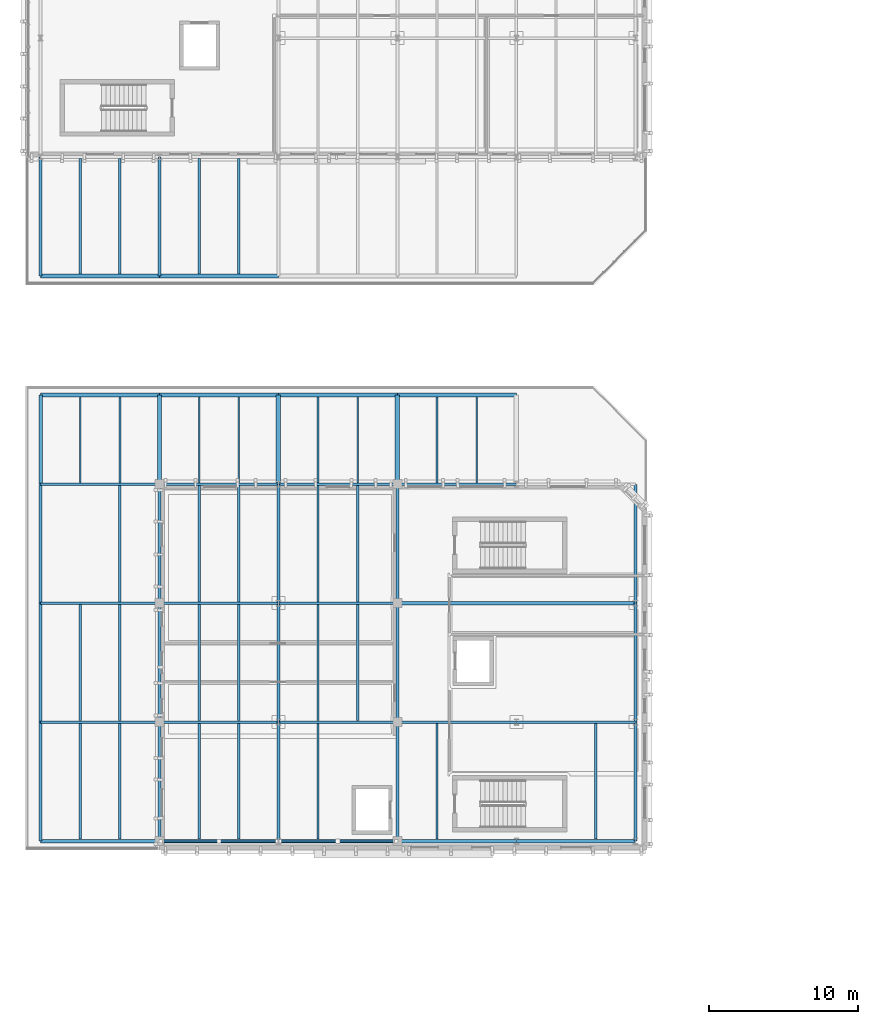
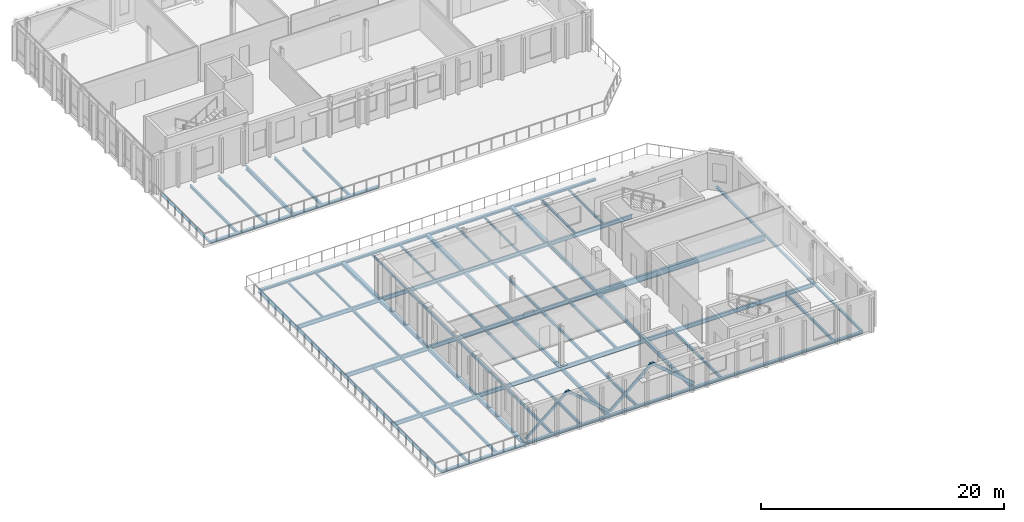
# One storey, part 6 of 43: 75 beams, 4 members.
"""IFC4 building model written with IfcOpenShell, lengths in metres."""

from ifc_helpers import new_model, si_unit, direction, frame, origin, origin_2d, place, context, subcontext, project, spatial, hollow_rectangle, i_section, extrude, material, material_profile, profile_set, type_object, element, save


model = new_model("IFC4")

# Units and contexts
model_context = context("Model", 3, precision=1e-05, world=origin(), true_north=direction((0.0, 1.0)))
body_context = subcontext(model_context, "Body", "Model", "MODEL_VIEW")
ifc_project = project(units=[si_unit("LENGTHUNIT", "METRE"), si_unit("AREAUNIT", "SQUARE_METRE"), si_unit("VOLUMEUNIT", "CUBIC_METRE"), si_unit("PLANEANGLEUNIT", "RADIAN"), si_unit("MASSUNIT", "GRAM", prefix="KILO")], contexts=[model_context])

# Site, building, storey
site_placement = place(None, origin())
site = spatial("IfcSite", under=ifc_project, at=site_placement, CompositionType="ELEMENT")
building_placement = place(site_placement, origin())
building = spatial("IfcBuilding", under=site, at=building_placement, Name="Cymarion Research Institute", CompositionType="ELEMENT")
storey_placement = place(building_placement, frame((0.0, 0.0, 22.800048828125)))
storey = spatial("IfcBuildingStorey", under=building, at=storey_placement, Name="L05", CompositionType="ELEMENT", Elevation=22.800048828125)

# Beams
ifc_material = material(Name="Steel S355", Category="steel")
ifc_material_profile_1 = material_profile(ifc_material, i_section(OverallWidth=0.219970703125, OverallDepth=0.60009765625, WebThickness=0.011962890625, FlangeThickness=0.01904296875, FilletRadius=0.02392578125, at=origin_2d()), Name="IPE 600")
ifc_profile_set_1 = profile_set([ifc_material_profile_1], Name="Steel S355")
beam_type_1 = type_object("IfcBeamType", Name="PRIMARY GIRDER BM01 IPE 600", PredefinedType="BEAM", material=ifc_profile_set_1)
beam_1_placement = place(storey_placement, frame((30.60595703125, 63.5, -0.52001953125), z_axis=(1.0, 0.0, 0.0), x_axis=(0.0, 1.0, 0.0)))
element("IfcBeam", 1, at=beam_1_placement, inside=storey, type_object=beam_type_1, Name="L05 V4 girder BM01 #1914", PredefinedType="BEAM", context=body_context, shape_type="SweptSolid", body=[
    extrude(i_section(OverallWidth=0.219970703125, OverallDepth=0.60009765625, WebThickness=0.011962890625, FlangeThickness=0.01904296875, FilletRadius=0.02392578125, at=origin_2d()), origin(), (0.0, 0.0, 1.0), 15.988037109375),
])
ifc_material_profile_2 = material_profile(ifc_material, i_section(OverallWidth=0.179931640625, OverallDepth=0.39990234375, WebThickness=0.008544921875, FlangeThickness=0.013427734375, FilletRadius=0.02099609375, at=origin_2d()), Name="IPE 400")
ifc_profile_set_2 = profile_set([ifc_material_profile_2], Name="Steel S355")
beam_type_2 = type_object("IfcBeamType", Name="PRIMARY GIRDER BM05 IPE 400", PredefinedType="BEAM", material=ifc_profile_set_2)
for number, where, z_axis, x_axis, name in (
    (2, (6.60595703125, 55.5, -0.4599609375), (1.0, 0.0, 0.0), (0.0, 1.0, 0.0), "L05 V4 girder BM05 #1906"),
    (3, (14.60595703125, 55.5, -0.420166015625), (1.0, 0.0, 0.0), (0.0, 1.0, 0.0), "L05 V4 girder BM05 #1907"),
    (4, (22.60595703125, 55.5, -0.420166015625), (1.0, 0.0, 0.0), (0.0, 1.0, 0.0), "L05 V4 girder BM05 #1908"),
    (5, (30.60595703125, 55.5, -0.420166015625), (1.0, 0.0, 0.0), (0.0, 1.0, 0.0), "L05 V4 girder BM05 #1909"),
    (6, (38.60595703125, 55.5, -0.420166015625), (1.0, 0.0, 0.0), (0.0, 1.0, 0.0), "L05 V4 girder BM05 #1910"),
    (7, (6.60595703125, 63.5, -0.4599609375), (1.0, 0.0, 0.0), (0.0, 1.0, 0.0), "L05 V4 girder BM05 #1911"),
    (8, (14.60595703125, 63.5, -0.420166015625), (1.0, 0.0, 0.0), (0.0, 1.0, 0.0), "L05 V4 girder BM05 #1912"),
    (9, (22.60595703125, 63.5, -0.420166015625), (1.0, 0.0, 0.0), (0.0, 1.0, 0.0), "L05 V4 girder BM05 #1913"),
    (10, (6.60595703125, 71.5, -0.4599609375), (1.0, 0.0, 0.0), (0.0, 1.0, 0.0), "L05 V4 girder BM05 #1915"),
    (11, (14.60595703125, 71.5, -0.4599609375), (1.0, 0.0, 0.0), (0.0, 1.0, 0.0), "L05 V4 girder BM05 #1916"),
    (12, (22.60595703125, 71.5, -0.4599609375), (1.0, 0.0, 0.0), (0.0, 1.0, 0.0), "L05 V4 girder BM05 #1917"),
    (13, (30.60595703125, 71.5, -0.4599609375), (1.0, 0.0, 0.0), (0.0, 1.0, 0.0), "L05 V4 girder BM05 #1918"),
):
    element("IfcBeam", number, at=place(storey_placement, frame(where, z_axis=z_axis, x_axis=x_axis)), inside=storey, type_object=beam_type_2, Name=name, PredefinedType="BEAM", context=body_context, shape_type="SweptSolid", body=[
        extrude(i_section(OverallWidth=0.179931640625, OverallDepth=0.39990234375, WebThickness=0.008544921875, FlangeThickness=0.013427734375, FilletRadius=0.02099609375, at=origin_2d()), origin(), (0.0, 0.0, 1.0), 7.988037109375),
    ])
for number, where, z_axis, x_axis, name in (
    (14, (14.60009765625, 47.506103515625, -0.4599609375), (0.0, 1.0, 0.0), (-1.0, 0.0, 0.0), "L05 V4 girder BM05 #1928"),
    (15, (14.60009765625, 55.506103515625, -0.4599609375), (0.0, 1.0, 0.0), (-1.0, 0.0, 0.0), "L05 V4 girder BM05 #1929"),
    (16, (14.60009765625, 63.506103515625, -0.4599609375), (0.0, 1.0, 0.0), (-1.0, 0.0, 0.0), "L05 V4 girder BM05 #1930"),
    (17, (22.60009765625, 47.506103515625, -0.420166015625), (0.0, 1.0, 0.0), (-1.0, 0.0, 0.0), "L05 V4 girder BM05 #1932"),
    (18, (22.60009765625, 55.506103515625, -0.420166015625), (0.0, 1.0, 0.0), (-1.0, 0.0, 0.0), "L05 V4 girder BM05 #1933"),
    (19, (22.60009765625, 63.506103515625, -0.420166015625), (0.0, 1.0, 0.0), (-1.0, 0.0, 0.0), "L05 V4 girder BM05 #1934"),
    (20, (30.60009765625, 47.506103515625, -0.420166015625), (0.0, 1.0, 0.0), (-1.0, 0.0, 0.0), "L05 V4 girder BM05 #1936"),
    (21, (30.60009765625, 55.506103515625, -0.420166015625), (0.0, 1.0, 0.0), (-1.0, 0.0, 0.0), "L05 V4 girder BM05 #1937"),
    (22, (30.60009765625, 63.506103515625, -0.420166015625), (0.0, 1.0, 0.0), (-1.0, 0.0, 0.0), "L05 V4 girder BM05 #1938"),
    (23, (14.60009765625, 85.506103515625, -0.4599609375), (0.0, 1.0, 0.0), (-1.0, 0.0, 0.0), "L05 V5 girder BM05 #1996"),
):
    element("IfcBeam", number, at=place(storey_placement, frame(where, z_axis=z_axis, x_axis=x_axis)), inside=storey, type_object=beam_type_2, Name=name, PredefinedType="BEAM", context=body_context, shape_type="SweptSolid", body=[
        extrude(i_section(OverallWidth=0.179931640625, OverallDepth=0.39990234375, WebThickness=0.008544921875, FlangeThickness=0.013427734375, FilletRadius=0.02099609375, at=origin_2d()), origin(), (0.0, 0.0, 1.0), 7.98779296875),
    ])
ifc_material_profile_3 = material_profile(ifc_material, i_section(OverallWidth=0.300048828125, OverallDepth=0.35009765625, WebThickness=0.010009765625, FlangeThickness=0.017578125, FilletRadius=0.027099609375, at=origin_2d()), Name="HEA 360")
ifc_profile_set_3 = profile_set([ifc_material_profile_3], Name="Steel S355")
beam_type_3 = type_object("IfcBeamType", Name="PRIMARY GIRDER BM12 HEA 360", PredefinedType="BEAM", material=ifc_profile_set_3)
for number, where, z_axis, x_axis, name in (
    (24, (14.60009765625, 71.506103515625, -0.43505859375), (0.0, 1.0, 0.0), (-1.0, 0.0, 0.0), "L05 V4 girder BM12 #1931"),
    (25, (22.60009765625, 71.506103515625, -0.43505859375), (0.0, 1.0, 0.0), (-1.0, 0.0, 0.0), "L05 V4 girder BM12 #1935"),
    (26, (30.60009765625, 71.506103515625, -0.43505859375), (0.0, 1.0, 0.0), (-1.0, 0.0, 0.0), "L05 V4 girder BM12 #1939"),
):
    element("IfcBeam", number, at=place(storey_placement, frame(where, z_axis=z_axis, x_axis=x_axis)), inside=storey, type_object=beam_type_3, Name=name, PredefinedType="BEAM", context=body_context, shape_type="SweptSolid", body=[
        extrude(i_section(OverallWidth=0.300048828125, OverallDepth=0.35009765625, WebThickness=0.010009765625, FlangeThickness=0.017578125, FilletRadius=0.027099609375, at=origin_2d()), origin(), (0.0, 0.0, 1.0), 5.98779296875),
    ])
ifc_material_profile_4 = material_profile(ifc_material, i_section(OverallWidth=0.14990234375, OverallDepth=0.300048828125, WebThickness=0.007080078125, FlangeThickness=0.0107421875, FilletRadius=0.014892578125, at=origin_2d()), Name="IPE 300")
ifc_profile_set_4 = profile_set([ifc_material_profile_4], Name="Steel S355")
beam_type_4 = type_object("IfcBeamType", Name="SECONDARY JOIST JS02 IPE 300", PredefinedType="JOIST", material=ifc_profile_set_4)
for number, where, z_axis, x_axis, name in (
    (27, (9.2666015625, 47.6240234375, -0.41015625), (0.0, 1.0, 0.0), (-1.0, 0.0, 0.0), "L05 V4 secondary joist JS02 #1944"),
    (28, (11.933349609375, 47.6240234375, -0.41015625), (0.0, 1.0, 0.0), (-1.0, 0.0, 0.0), "L05 V4 secondary joist JS02 #1945"),
    (29, (17.2666015625, 47.6240234375, -0.3701171875), (0.0, 1.0, 0.0), (-1.0, 0.0, 0.0), "L05 V4 secondary joist JS02 #1946"),
    (30, (19.933349609375, 47.6240234375, -0.3701171875), (0.0, 1.0, 0.0), (-1.0, 0.0, 0.0), "L05 V4 secondary joist JS02 #1947"),
    (31, (25.2666015625, 47.6240234375, -0.3701171875), (0.0, 1.0, 0.0), (-1.0, 0.0, 0.0), "L05 V4 secondary joist JS02 #1948"),
    (32, (33.2666015625, 47.6240234375, -0.3701171875), (0.0, 1.0, 0.0), (-1.0, 0.0, 0.0), "L05 V4 secondary joist JS02 #1949"),
    (33, (43.933349609375, 47.6240234375, -0.3701171875), (0.0, 1.0, 0.0), (-1.0, 0.0, 0.0), "L05 V4 secondary joist JS02 #1950"),
):
    element("IfcBeam", number, at=place(storey_placement, frame(where, z_axis=z_axis, x_axis=x_axis)), inside=storey, type_object=beam_type_4, Name=name, PredefinedType="JOIST", context=body_context, shape_type="SweptSolid", body=[
        extrude(i_section(OverallWidth=0.14990234375, OverallDepth=0.300048828125, WebThickness=0.007080078125, FlangeThickness=0.0107421875, FilletRadius=0.014892578125, at=origin_2d()), origin(), (0.0, 0.0, 1.0), 7.781982421875),
    ])
for number, where, z_axis, x_axis, name in (
    (34, (9.2666015625, 55.593994140625, -0.41015625), (0.0, 1.0, 0.0), (-1.0, 0.0, 0.0), "L05 V4 secondary joist JS02 #1951"),
    (35, (11.933349609375, 55.593994140625, -0.41015625), (0.0, 1.0, 0.0), (-1.0, 0.0, 0.0), "L05 V4 secondary joist JS02 #1952"),
    (36, (17.2666015625, 55.593994140625, -0.3701171875), (0.0, 1.0, 0.0), (-1.0, 0.0, 0.0), "L05 V4 secondary joist JS02 #1953"),
    (37, (19.933349609375, 55.593994140625, -0.3701171875), (0.0, 1.0, 0.0), (-1.0, 0.0, 0.0), "L05 V4 secondary joist JS02 #1954"),
    (38, (25.2666015625, 55.593994140625, -0.3701171875), (0.0, 1.0, 0.0), (-1.0, 0.0, 0.0), "L05 V4 secondary joist JS02 #1955"),
    (39, (27.933349609375, 55.593994140625, -0.3701171875), (0.0, 1.0, 0.0), (-1.0, 0.0, 0.0), "L05 V4 secondary joist JS02 #1956"),
    (40, (11.933349609375, 63.593994140625, -0.41015625), (0.0, 1.0, 0.0), (-1.0, 0.0, 0.0), "L05 V4 secondary joist JS02 #1957"),
    (41, (17.2666015625, 63.593994140625, -0.3701171875), (0.0, 1.0, 0.0), (-1.0, 0.0, 0.0), "L05 V4 secondary joist JS02 #1958"),
    (42, (19.933349609375, 63.593994140625, -0.3701171875), (0.0, 1.0, 0.0), (-1.0, 0.0, 0.0), "L05 V4 secondary joist JS02 #1959"),
    (43, (25.2666015625, 63.593994140625, -0.3701171875), (0.0, 1.0, 0.0), (-1.0, 0.0, 0.0), "L05 V4 secondary joist JS02 #1960"),
    (44, (27.933349609375, 63.593994140625, -0.3701171875), (0.0, 1.0, 0.0), (-1.0, 0.0, 0.0), "L05 V4 secondary joist JS02 #1961"),
):
    element("IfcBeam", number, at=place(storey_placement, frame(where, z_axis=z_axis, x_axis=x_axis)), inside=storey, type_object=beam_type_4, Name=name, PredefinedType="JOIST", context=body_context, shape_type="SweptSolid", body=[
        extrude(i_section(OverallWidth=0.14990234375, OverallDepth=0.300048828125, WebThickness=0.007080078125, FlangeThickness=0.0107421875, FilletRadius=0.014892578125, at=origin_2d()), origin(), (0.0, 0.0, 1.0), 7.81201171875),
    ])
for number, where, z_axis, x_axis, name in (
    (45, (9.2666015625, 85.6240234375, -0.41015625), (0.0, 1.0, 0.0), (-1.0, 0.0, 0.0), "L05 V5 secondary joist JS02 #2012"),
    (46, (11.933349609375, 85.6240234375, -0.41015625), (0.0, 1.0, 0.0), (-1.0, 0.0, 0.0), "L05 V5 secondary joist JS02 #2013"),
    (47, (17.2666015625, 85.6240234375, -0.41015625), (0.0, 1.0, 0.0), (-1.0, 0.0, 0.0), "L05 V5 secondary joist JS02 #2014"),
    (48, (19.933349609375, 85.6240234375, -0.41015625), (0.0, 1.0, 0.0), (-1.0, 0.0, 0.0), "L05 V5 secondary joist JS02 #2015"),
):
    element("IfcBeam", number, at=place(storey_placement, frame(where, z_axis=z_axis, x_axis=x_axis)), inside=storey, type_object=beam_type_4, Name=name, PredefinedType="JOIST", context=body_context, shape_type="SweptSolid", body=[
        extrude(i_section(OverallWidth=0.14990234375, OverallDepth=0.300048828125, WebThickness=0.007080078125, FlangeThickness=0.0107421875, FilletRadius=0.014892578125, at=origin_2d()), origin(), (0.0, 0.0, 1.0), 7.781982421875),
    ])
ifc_material_profile_5 = material_profile(ifc_material, i_section(OverallWidth=0.1201171875, OverallDepth=0.239990234375, WebThickness=0.006103515625, FlangeThickness=0.009765625, FilletRadius=0.014892578125, at=origin_2d()), Name="IPE 240")
ifc_profile_set_5 = profile_set([ifc_material_profile_5], Name="Steel S355")
beam_type_5 = type_object("IfcBeamType", Name="SECONDARY JOIST JS04 IPE 240", PredefinedType="JOIST", material=ifc_profile_set_5)
for number, where, z_axis, x_axis, name in (
    (49, (9.2666015625, 71.593994140625, -0.380126953125), (0.0, 1.0, 0.0), (-1.0, 0.0, 0.0), "L05 V4 secondary joist JS04 #1962"),
    (50, (11.933349609375, 71.593994140625, -0.380126953125), (0.0, 1.0, 0.0), (-1.0, 0.0, 0.0), "L05 V4 secondary joist JS04 #1963"),
    (51, (17.2666015625, 71.593994140625, -0.380126953125), (0.0, 1.0, 0.0), (-1.0, 0.0, 0.0), "L05 V4 secondary joist JS04 #1964"),
    (52, (19.933349609375, 71.593994140625, -0.380126953125), (0.0, 1.0, 0.0), (-1.0, 0.0, 0.0), "L05 V4 secondary joist JS04 #1965"),
    (53, (25.2666015625, 71.593994140625, -0.380126953125), (0.0, 1.0, 0.0), (-1.0, 0.0, 0.0), "L05 V4 secondary joist JS04 #1966"),
    (54, (27.933349609375, 71.593994140625, -0.380126953125), (0.0, 1.0, 0.0), (-1.0, 0.0, 0.0), "L05 V4 secondary joist JS04 #1967"),
    (55, (33.2666015625, 71.593994140625, -0.380126953125), (0.0, 1.0, 0.0), (-1.0, 0.0, 0.0), "L05 V4 secondary joist JS04 #1968"),
    (56, (35.933349609375, 71.593994140625, -0.380126953125), (0.0, 1.0, 0.0), (-1.0, 0.0, 0.0), "L05 V4 secondary joist JS04 #1969"),
):
    element("IfcBeam", number, at=place(storey_placement, frame(where, z_axis=z_axis, x_axis=x_axis)), inside=storey, type_object=beam_type_5, Name=name, PredefinedType="JOIST", context=body_context, shape_type="SweptSolid", body=[
        extrude(i_section(OverallWidth=0.1201171875, OverallDepth=0.239990234375, WebThickness=0.006103515625, FlangeThickness=0.009765625, FilletRadius=0.014892578125, at=origin_2d()), origin(), (0.0, 0.0, 1.0), 5.781982421875),
    ])
ifc_material_profile_6 = material_profile(ifc_material, i_section(OverallWidth=0.239990234375, OverallDepth=0.22998046875, WebThickness=0.007568359375, FlangeThickness=0.011962890625, FilletRadius=0.02099609375, at=origin_2d()), Name="HEA 240")
ifc_profile_set_6 = profile_set([ifc_material_profile_6], Name="Steel S355")
beam_type_6 = type_object("IfcBeamType", Name="SPANDREL BEAM SPB03 HEA 240", PredefinedType="SPANDREL", material=ifc_profile_set_6)
for number, where, z_axis, x_axis, name in (
    (57, (6.60595703125, 47.5, -0.375), (1.0, 0.0, 0.0), (0.0, 1.0, 0.0), "L05 V4 girder SPB03 #1901"),
    (58, (14.60595703125, 47.5, -0.3349609375), (1.0, 0.0, 0.0), (0.0, 1.0, 0.0), "L05 V4 girder SPB03 #1902"),
    (59, (22.60595703125, 47.5, -0.3349609375), (1.0, 0.0, 0.0), (0.0, 1.0, 0.0), "L05 V4 girder SPB03 #1903"),
    (60, (30.60595703125, 47.5, -0.3349609375), (1.0, 0.0, 0.0), (0.0, 1.0, 0.0), "L05 V4 girder SPB03 #1904"),
    (61, (38.60595703125, 47.5, -0.3349609375), (1.0, 0.0, 0.0), (0.0, 1.0, 0.0), "L05 V4 girder SPB03 #1905"),
    (62, (6.60595703125, 77.5, -0.375), (1.0, 0.0, 0.0), (0.0, 1.0, 0.0), "L05 V4 girder SPB03 #1920"),
    (63, (14.60595703125, 77.5, -0.375), (1.0, 0.0, 0.0), (0.0, 1.0, 0.0), "L05 V4 girder SPB03 #1921"),
    (64, (22.60595703125, 77.5, -0.375), (1.0, 0.0, 0.0), (0.0, 1.0, 0.0), "L05 V4 girder SPB03 #1922"),
    (65, (30.60595703125, 77.5, -0.375), (1.0, 0.0, 0.0), (0.0, 1.0, 0.0), "L05 V4 girder SPB03 #1923"),
):
    element("IfcBeam", number, at=place(storey_placement, frame(where, z_axis=z_axis, x_axis=x_axis)), inside=storey, type_object=beam_type_6, Name=name, PredefinedType="SPANDREL", context=body_context, shape_type="SweptSolid", body=[
        extrude(i_section(OverallWidth=0.239990234375, OverallDepth=0.22998046875, WebThickness=0.007568359375, FlangeThickness=0.011962890625, FilletRadius=0.02099609375, at=origin_2d()), origin(), (0.0, 0.0, 1.0), 7.988037109375),
    ])
beam_2_placement = place(storey_placement, frame((6.60009765625, 71.506103515625, -0.375), z_axis=(0.0, 1.0, 0.0), x_axis=(-1.0, 0.0, 0.0)))
element("IfcBeam", 66, at=beam_2_placement, inside=storey, type_object=beam_type_6, Name="L05 V4 girder SPB03 #1927", PredefinedType="SPANDREL", context=body_context, shape_type="SweptSolid", body=[
    extrude(i_section(OverallWidth=0.239990234375, OverallDepth=0.22998046875, WebThickness=0.007568359375, FlangeThickness=0.011962890625, FilletRadius=0.02099609375, at=origin_2d()), origin(), (0.0, 0.0, 1.0), 5.98779296875),
])
for number, where, z_axis, x_axis, name in (
    (67, (6.60595703125, 85.5, -0.375), (1.0, 0.0, 0.0), (0.0, 1.0, 0.0), "L05 V5 girder SPB03 #1970"),
    (68, (14.60595703125, 85.5, -0.375), (1.0, 0.0, 0.0), (0.0, 1.0, 0.0), "L05 V5 girder SPB03 #1971"),
):
    element("IfcBeam", number, at=place(storey_placement, frame(where, z_axis=z_axis, x_axis=x_axis)), inside=storey, type_object=beam_type_6, Name=name, PredefinedType="SPANDREL", context=body_context, shape_type="SweptSolid", body=[
        extrude(i_section(OverallWidth=0.239990234375, OverallDepth=0.22998046875, WebThickness=0.007568359375, FlangeThickness=0.011962890625, FilletRadius=0.02099609375, at=origin_2d()), origin(), (0.0, 0.0, 1.0), 7.988037109375),
    ])
ifc_material_profile_7 = material_profile(ifc_material, i_section(OverallWidth=0.199951171875, OverallDepth=0.18994140625, WebThickness=0.006591796875, FlangeThickness=0.010009765625, FilletRadius=0.01806640625, at=origin_2d()), Name="HEA 200")
ifc_profile_set_7 = profile_set([ifc_material_profile_7], Name="Steel S355")
beam_type_7 = type_object("IfcBeamType", Name="SPANDREL BEAM SPB04 HEA 200", PredefinedType="SPANDREL", material=ifc_profile_set_7)
for number, where, z_axis, x_axis, name in (
    (69, (6.60009765625, 47.506103515625, -0.35498046875), (0.0, 1.0, 0.0), (-1.0, 0.0, 0.0), "L05 V4 girder SPB04 #1924"),
    (70, (6.60009765625, 55.506103515625, -0.35498046875), (0.0, 1.0, 0.0), (-1.0, 0.0, 0.0), "L05 V4 girder SPB04 #1925"),
    (71, (6.60009765625, 63.506103515625, -0.35498046875), (0.0, 1.0, 0.0), (-1.0, 0.0, 0.0), "L05 V4 girder SPB04 #1926"),
    (72, (46.60009765625, 47.506103515625, -0.31494140625), (0.0, 1.0, 0.0), (-1.0, 0.0, 0.0), "L05 V4 girder SPB04 #1941"),
    (73, (46.60009765625, 55.506103515625, -0.31494140625), (0.0, 1.0, 0.0), (-1.0, 0.0, 0.0), "L05 V4 girder SPB04 #1942"),
    (74, (46.60009765625, 63.506103515625, -0.31494140625), (0.0, 1.0, 0.0), (-1.0, 0.0, 0.0), "L05 V4 girder SPB04 #1943"),
    (75, (6.60009765625, 85.506103515625, -0.35498046875), (0.0, 1.0, 0.0), (-1.0, 0.0, 0.0), "L05 V5 girder SPB04 #1992"),
):
    element("IfcBeam", number, at=place(storey_placement, frame(where, z_axis=z_axis, x_axis=x_axis)), inside=storey, type_object=beam_type_7, Name=name, PredefinedType="SPANDREL", context=body_context, shape_type="SweptSolid", body=[
        extrude(i_section(OverallWidth=0.199951171875, OverallDepth=0.18994140625, WebThickness=0.006591796875, FlangeThickness=0.010009765625, FilletRadius=0.01806640625, at=origin_2d()), origin(), (0.0, 0.0, 1.0), 7.98779296875),
    ])

# Members
ifc_material_profile_8 = material_profile(ifc_material, hollow_rectangle(XDim=0.14990234375, YDim=0.25, WallThickness=0.010009765625, InnerFilletRadius=0.014892578125, OuterFilletRadius=0.02490234375, at=origin_2d()), Name="RHS 250x150x10")
ifc_profile_set_8 = profile_set([ifc_material_profile_8], Name="Steel S355")
member_type_1 = type_object("IfcMemberType", Name="STRUCTURAL MEMBER BR09 RHS 250x150x10", PredefinedType="BRACE", material=ifc_profile_set_8)
for number, where, z_axis, x_axis, name in (
    (76, (14.615234375, 47.5, 0.119873046875), (0.758194400065, 0.0, 0.652028566637), (0.0, 1.0, 0.0), "L05 V4 seismic chevron brace BR09 #1"),
    (77, (22.584716796875, 47.5, 0.119873046875), (-0.758194400065, 0.0, 0.652028566637), (0.0, -1.0, 0.0), "L05 V4 seismic chevron brace BR09 #2"),
):
    element("IfcMember", number, at=place(storey_placement, frame(where, z_axis=z_axis, x_axis=x_axis)), inside=storey, type_object=member_type_1, Name=name, PredefinedType="BRACE", context=body_context, shape_type="SweptSolid", body=[
        extrude(hollow_rectangle(XDim=0.14990234375, YDim=0.25, WallThickness=0.010009765625, InnerFilletRadius=0.014892578125, OuterFilletRadius=0.02490234375, at=origin_2d()), origin(), (0.0, 0.0, 1.0), 5.245361328125),
    ])
ifc_material_profile_9 = material_profile(ifc_material, hollow_rectangle(XDim=0.14990234375, YDim=0.300048828125, WallThickness=0.012451171875, InnerFilletRadius=0.018798828125, OuterFilletRadius=0.03125, at=origin_2d()), Name="RHS 300x150x12.5")
ifc_profile_set_9 = profile_set([ifc_material_profile_9], Name="Steel S355")
member_type_2 = type_object("IfcMemberType", Name="STRUCTURAL MEMBER BR10 RHS 300x150x12.5", PredefinedType="BRACE", material=ifc_profile_set_9)
for number, where, z_axis, x_axis, name in (
    (78, (22.615234375, 47.5, 0.119873046875), (0.758194400065, 0.0, 0.652028566637), (0.0, 1.0, 0.0), "L05 V4 seismic chevron brace BR10 #1"),
    (79, (30.584716796875, 47.5, 0.119873046875), (-0.758194400065, 0.0, 0.652028566637), (0.0, -1.0, 0.0), "L05 V4 seismic chevron brace BR10 #2"),
):
    element("IfcMember", number, at=place(storey_placement, frame(where, z_axis=z_axis, x_axis=x_axis)), inside=storey, type_object=member_type_2, Name=name, PredefinedType="BRACE", context=body_context, shape_type="SweptSolid", body=[
        extrude(hollow_rectangle(XDim=0.14990234375, YDim=0.300048828125, WallThickness=0.012451171875, InnerFilletRadius=0.018798828125, OuterFilletRadius=0.03125, at=origin_2d()), origin(), (0.0, 0.0, 1.0), 5.245361328125),
    ])

save(model, "model.ifc")
